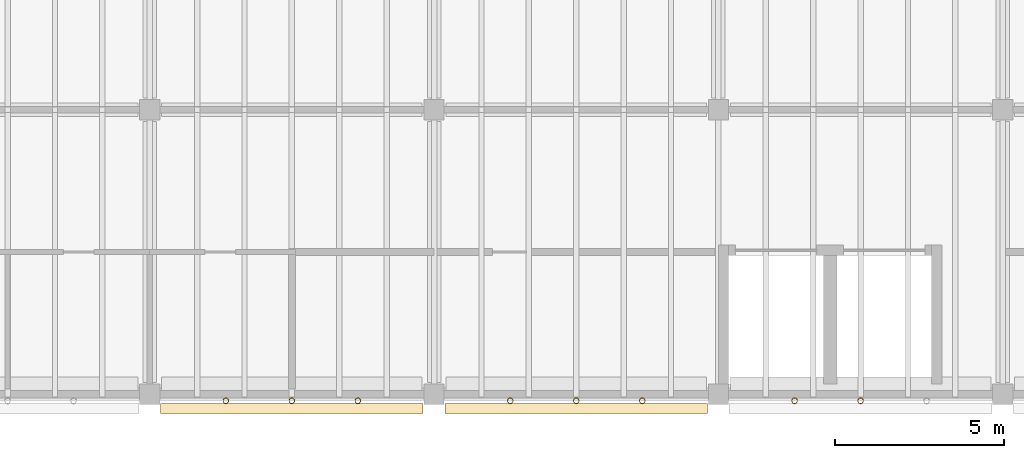
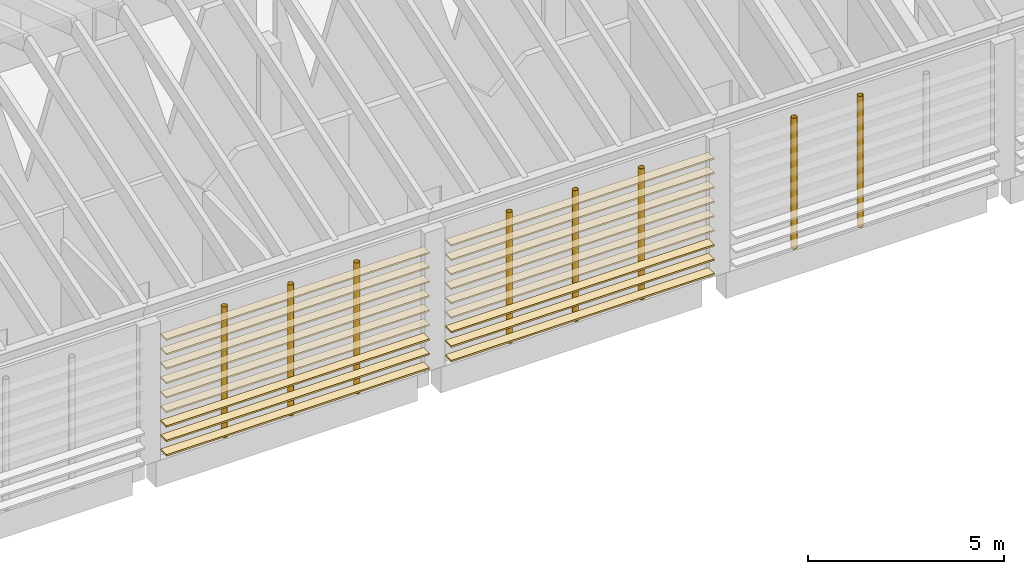
# One storey, part 44 of 59: 18 coverings, 8 shading devices.
"""IFC4 building model written with IfcOpenShell, lengths in metres."""

from ifc_helpers import new_model, si_unit, direction, frame, origin, origin_2d, place, context, subcontext, project, spatial, rectangle, hollow_circle, extrude, material, material_profile, profile_set, type_object, element, save


model = new_model("IFC4")

# Units and contexts
model_context = context("Model", 3, precision=1e-05, world=origin(), true_north=direction((0.0, 1.0)))
body_context = subcontext(model_context, "Body", "Model", "MODEL_VIEW")
ifc_project = project(units=[si_unit("LENGTHUNIT", "METRE"), si_unit("AREAUNIT", "SQUARE_METRE"), si_unit("VOLUMEUNIT", "CUBIC_METRE"), si_unit("PLANEANGLEUNIT", "RADIAN"), si_unit("MASSUNIT", "GRAM", prefix="KILO")], contexts=[model_context])

# Site, building, storey
site_placement = place(None, origin())
site = spatial("IfcSite", under=ifc_project, at=site_placement, CompositionType="ELEMENT")
building_placement = place(site_placement, origin())
building = spatial("IfcBuilding", under=site, at=building_placement, Name="Almond Square Museum", CompositionType="ELEMENT")
storey_placement = place(building_placement, frame((0.0, 0.0, 25.0)))
storey = spatial("IfcBuildingStorey", under=building, at=storey_placement, Name="L04", CompositionType="ELEMENT", Elevation=25.0)

# Shading devices
ifc_material_1 = material(Name="Structural steel S355", Category="steel")
ifc_material_profile_1 = material_profile(ifc_material_1, hollow_circle(Radius=0.084228515625, WallThickness=0.008056640625, at=origin_2d()))
ifc_profile_set_1 = profile_set([ifc_material_profile_1], Name="Structural steel S355")
shading_device_type = type_object("IfcShadingDeviceType", Name="Louvre post CHS 168.3 x 8", PredefinedType="USERDEFINED", material=ifc_profile_set_1)
for number, where, z_axis, x_axis, name in (
    (1, (75.449951171875, -0.194091796875, 0.0), (0.0, 0.0, 1.0), (1.0, 0.0, 0.0), "Louvre screen post"),
    (2, (77.39990234375, -0.194091796875, 0.0), (0.0, 0.0, 1.0), (1.0, 0.0, 0.0), "Louvre screen post"),
    (3, (79.35009765625, -0.194091796875, 0.0), (0.0, 0.0, 1.0), (1.0, 0.0, 0.0), "Louvre screen post"),
    (4, (83.85009765625, -0.194091796875, 0.0), (0.0, 0.0, 1.0), (1.0, 0.0, 0.0), "Louvre screen post"),
    (5, (85.800048828125, -0.194091796875, 0.0), (0.0, 0.0, 1.0), (1.0, 0.0, 0.0), "Louvre screen post"),
    (6, (87.75, -0.194091796875, 0.0), (0.0, 0.0, 1.0), (1.0, 0.0, 0.0), "Louvre screen post"),
    (7, (92.25, -0.194091796875, 0.0), (0.0, 0.0, 1.0), (1.0, 0.0, 0.0), "Louvre screen post"),
    (8, (94.199951171875, -0.194091796875, 0.0), (0.0, 0.0, 1.0), (1.0, 0.0, 0.0), "Louvre screen post"),
):
    element("IfcShadingDevice", number, at=place(storey_placement, frame(where, z_axis=z_axis, x_axis=x_axis)), inside=storey, type_object=shading_device_type, Name=name, ObjectType="POST", PredefinedType="USERDEFINED", context=body_context, shape_type="SweptSolid", body=[
        extrude(hollow_circle(Radius=0.084228515625, WallThickness=0.008056640625, at=origin_2d()), origin(), (0.0, 0.0, 1.0), 4.08447265625),
    ])

# Coverings
ifc_material_2 = material(Name="Cedar timber louvre board", Category="wood")
ifc_material_profile_2 = material_profile(ifc_material_2, rectangle(XDim=0.300048828125, YDim=0.050048828125, at=origin_2d()))
ifc_profile_set_2 = profile_set([ifc_material_profile_2], Name="Cedar timber louvre board")
covering_type = type_object("IfcCoveringType", Name="Louvre screen board 300 x 50", PredefinedType="CLADDING", material=ifc_profile_set_2)
for number, where, z_axis, x_axis, name in (
    (9, (73.52001953125, -0.42431640625, 0.300048828125), (1.0, 0.0, 0.0), (0.0, 1.0, 0.0), "Louvre screen board"),
    (10, (73.52001953125, -0.42431640625, 0.75), (1.0, 0.0, 0.0), (0.0, 1.0, 0.0), "Louvre screen board"),
    (11, (73.52001953125, -0.42431640625, 1.199951171875), (1.0, 0.0, 0.0), (0.0, 1.0, 0.0), "Louvre screen board"),
    (12, (73.52001953125, -0.42431640625, 1.64990234375), (1.0, 0.0, 0.0), (0.0, 1.0, 0.0), "Louvre screen board"),
    (13, (73.52001953125, -0.42431640625, 2.10009765625), (1.0, 0.0, 0.0), (0.0, 1.0, 0.0), "Louvre screen board"),
    (14, (73.52001953125, -0.42431640625, 2.550048828125), (1.0, 0.0, 0.0), (0.0, 1.0, 0.0), "Louvre screen board"),
    (15, (73.52001953125, -0.42431640625, 3.0), (1.0, 0.0, 0.0), (0.0, 1.0, 0.0), "Louvre screen board"),
    (16, (73.52001953125, -0.42431640625, 3.449951171875), (1.0, 0.0, 0.0), (0.0, 1.0, 0.0), "Louvre screen board"),
    (17, (73.52001953125, -0.42431640625, 3.89990234375), (1.0, 0.0, 0.0), (0.0, 1.0, 0.0), "Louvre screen board"),
    (18, (81.919921875, -0.42431640625, 0.300048828125), (1.0, 0.0, 0.0), (0.0, 1.0, 0.0), "Louvre screen board"),
    (19, (81.919921875, -0.42431640625, 0.75), (1.0, 0.0, 0.0), (0.0, 1.0, 0.0), "Louvre screen board"),
    (20, (81.919921875, -0.42431640625, 1.199951171875), (1.0, 0.0, 0.0), (0.0, 1.0, 0.0), "Louvre screen board"),
    (21, (81.919921875, -0.42431640625, 1.64990234375), (1.0, 0.0, 0.0), (0.0, 1.0, 0.0), "Louvre screen board"),
    (22, (81.919921875, -0.42431640625, 2.10009765625), (1.0, 0.0, 0.0), (0.0, 1.0, 0.0), "Louvre screen board"),
    (23, (81.919921875, -0.42431640625, 2.550048828125), (1.0, 0.0, 0.0), (0.0, 1.0, 0.0), "Louvre screen board"),
    (24, (81.919921875, -0.42431640625, 3.0), (1.0, 0.0, 0.0), (0.0, 1.0, 0.0), "Louvre screen board"),
    (25, (81.919921875, -0.42431640625, 3.449951171875), (1.0, 0.0, 0.0), (0.0, 1.0, 0.0), "Louvre screen board"),
    (26, (81.919921875, -0.42431640625, 3.89990234375), (1.0, 0.0, 0.0), (0.0, 1.0, 0.0), "Louvre screen board"),
):
    element("IfcCovering", number, at=place(storey_placement, frame(where, z_axis=z_axis, x_axis=x_axis)), inside=storey, type_object=covering_type, Name=name, PredefinedType="CLADDING", context=body_context, shape_type="SweptSolid", body=[
        extrude(rectangle(XDim=0.300048828125, YDim=0.050048828125, at=origin_2d()), origin(), (0.0, 0.0, 1.0), 7.760009765625),
    ])

save(model, "model.ifc")
